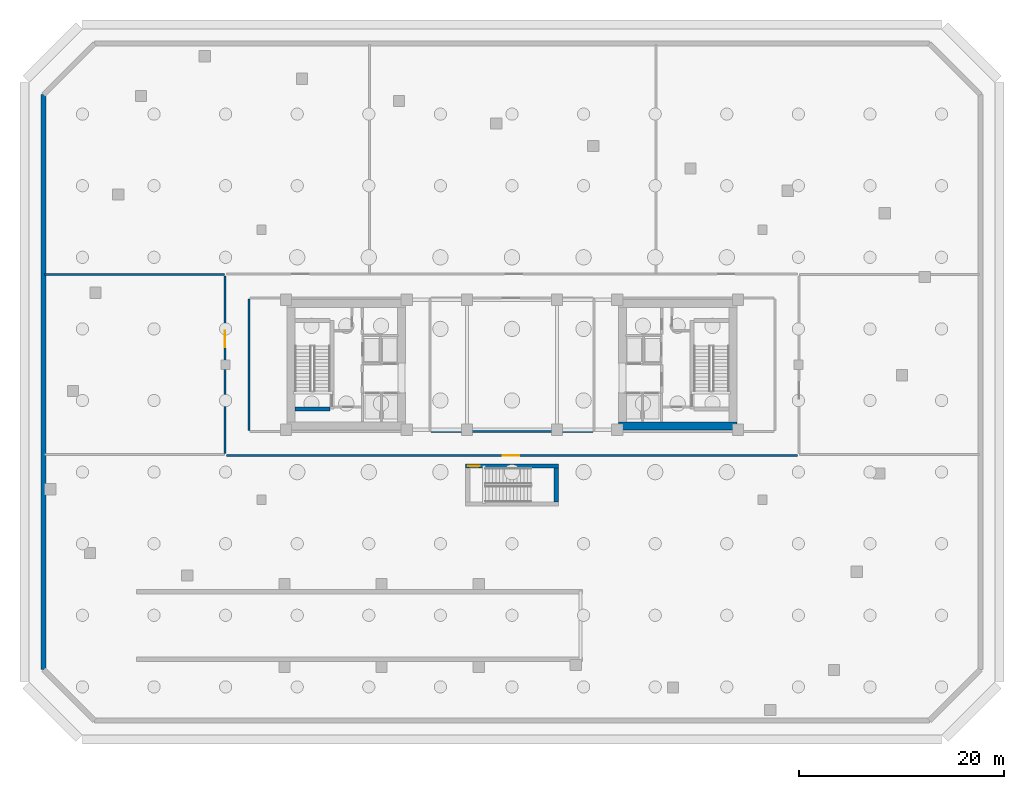
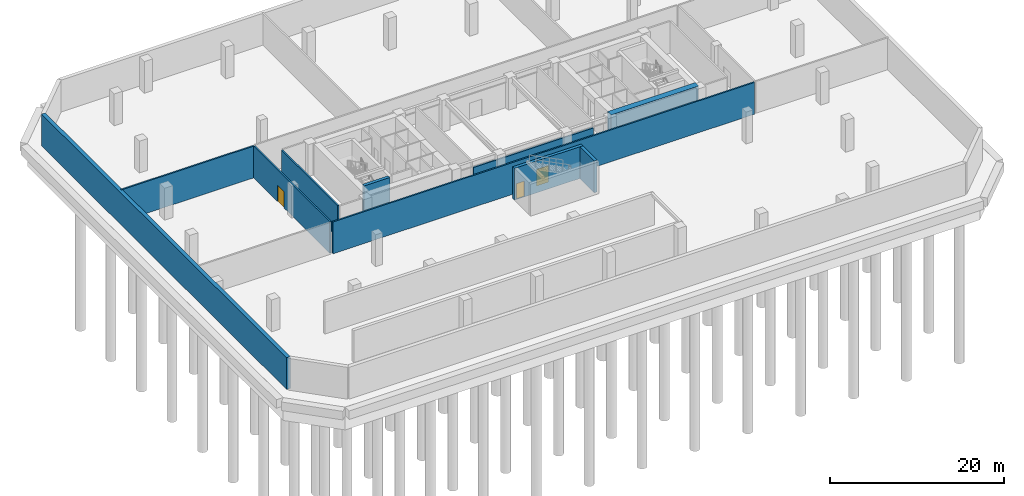
# One storey, part 3 of 10: 10 walls, 3 doors, 3 openings.
"""IFC4 building model written with IfcOpenShell, lengths in metres."""

from ifc_helpers import new_model, si_unit, direction, frame, frame_2d, origin, place, context, subcontext, project, spatial, rectangle, extrude, material, layer, layer_set, type_object, element, fill, save


model = new_model("IFC4")

# Units and contexts
model_context = context("Model", 3, precision=1e-05, world=origin(), true_north=direction((0.0, 1.0)))
body_context = subcontext(model_context, "Body", "Model", "MODEL_VIEW")
ifc_project = project(units=[si_unit("LENGTHUNIT", "METRE"), si_unit("AREAUNIT", "SQUARE_METRE"), si_unit("VOLUMEUNIT", "CUBIC_METRE"), si_unit("PLANEANGLEUNIT", "RADIAN"), si_unit("MASSUNIT", "GRAM", prefix="KILO")], contexts=[model_context])

# Site, building, storey
site_placement = place(None, origin())
site = spatial("IfcSite", under=ifc_project, at=site_placement, CompositionType="ELEMENT")
building_placement = place(site_placement, origin())
building = spatial("IfcBuilding", under=site, at=building_placement, Name="Tavrogorsk Clinical Tower", CompositionType="ELEMENT")
storey_placement = place(building_placement, frame((0.0, 0.0, -10.199951171875)))
storey = spatial("IfcBuildingStorey", under=building, at=storey_placement, Name="B2", CompositionType="ELEMENT", Elevation=-10.199951171875)

# Wall, opening, door
ifc_material_1 = material(Name="Concrete B60", Category="concrete")
ifc_layer_1 = layer(ifc_material_1, 0.199951171875)
ifc_layer_set_1 = layer_set([ifc_layer_1], Name="Concrete B60")
wall_type_1 = type_object("IfcWallType", Name="CoreFireWall_200", PredefinedType="SOLIDWALL", material=ifc_layer_set_1)
wall_1_placement = place(storey_placement, frame((-28.080078125, -8.695068359375, 0.0), z_axis=(0.0, 0.0, 1.0), x_axis=(0.0, 1.0, 0.0)))
wall_1 = element("IfcWall", 1, at=wall_1_placement, inside=storey, type_object=wall_type_1, Name="B2 Corridor Fire Wall 01", PredefinedType="SOLIDWALL", context=body_context, shape_type="SweptSolid", body=[
    extrude(rectangle(XDim=17.39013671875, YDim=0.199951171875, at=frame_2d((8.695068359375, 0.0))), origin(), (0.0, 0.0, 1.0), 4.449951171875),
])
opening_1_placement = place(wall_1_placement, frame((10.39990234375, 0.0, 0.0)))
opening_1 = element("IfcOpeningElement", 2, at=opening_1_placement, cuts=wall_1, Name="Opening FD-04", PredefinedType="OPENING", context=body_context, shape_type="SweptSolid", body=[
    extrude(rectangle(XDim=1.60009765625, YDim=2.300048828125, at=frame_2d((0.800048828125, 1.14990234375))), frame((0.0, 0.10986328125, 0.0), z_axis=(0.0, -1.0, 0.0), x_axis=(1.0, 0.0, 0.0)), (0.0, 0.0, 1.0), 0.219970703125),
])
ifc_material_2 = material(Name="Galvanised steel acoustic plant double door", Category="steel")
door_type_1 = type_object("IfcDoorType", Name="PlantDoubleDoor_FD04_1600", OperationType="DOUBLE_SWING_LEFT", PredefinedType="DOOR", material=ifc_material_2)
door_1_placement = place(opening_1_placement, origin())
door_1 = element("IfcDoor", 3, at=door_1_placement, inside=storey, type_object=door_type_1, Name="B2 Medical Oxygen Manifold Plant Fire Door", OperationType="DOUBLE_SWING_LEFT", OverallHeight=2.300048828125, OverallWidth=1.60009765625, PredefinedType="DOOR", context=body_context, shape_type="SweptSolid", body=[
    extrude(rectangle(XDim=1.60009765625, YDim=2.300048828125, at=frame_2d((0.800048828125, 1.14990234375))), frame((0.0, 0.02490234375, 0.0), z_axis=(0.0, -1.0, 0.0), x_axis=(1.0, 0.0, 0.0)), (0.0, 0.0, 1.0), 0.050048828125),
])
fill(opening_1, door_1)

wall_2_placement = place(storey_placement, frame((27.89501953125, -8.8798828125, 0.0), z_axis=(0.0, 0.0, 1.0), x_axis=(-1.0, 0.0, 0.0)))
wall_2 = element("IfcWall", 4, at=wall_2_placement, inside=storey, type_object=wall_type_1, Name="B2 Corridor Fire Wall 04", PredefinedType="SOLIDWALL", context=body_context, shape_type="SweptSolid", body=[
    extrude(rectangle(XDim=55.7900390625, YDim=0.199951171875, at=frame_2d((27.89501953125, 0.0))), origin(), (0.0, 0.0, 1.0), 4.449951171875),
])
opening_2_placement = place(wall_2_placement, frame((27.199951171875, 0.0, 0.0)))
opening_2 = element("IfcOpeningElement", 5, at=opening_2_placement, cuts=wall_2, Name="Opening FD-04", PredefinedType="OPENING", context=body_context, shape_type="SweptSolid", body=[
    extrude(rectangle(XDim=1.60009765625, YDim=2.300048828125, at=frame_2d((0.800048828125, 1.14990234375))), frame((0.0, 0.10986328125, 0.0), z_axis=(0.0, -1.0, 0.0), x_axis=(1.0, 0.0, 0.0)), (0.0, 0.0, 1.0), 0.219970703125),
])
door_2_placement = place(opening_2_placement, origin())
door_2 = element("IfcDoor", 6, at=door_2_placement, inside=storey, type_object=door_type_1, Name="B2 Sterile Instrument & Medical Equipment Reserve Fire Door", OperationType="DOUBLE_SWING_LEFT", OverallHeight=2.300048828125, OverallWidth=1.60009765625, PredefinedType="DOOR", context=body_context, shape_type="SweptSolid", body=[
    extrude(rectangle(XDim=1.60009765625, YDim=2.300048828125, at=frame_2d((0.800048828125, 1.14990234375))), frame((0.0, 0.02490234375, 0.0), z_axis=(0.0, -1.0, 0.0), x_axis=(1.0, 0.0, 0.0)), (0.0, 0.0, 1.0), 0.050048828125),
])
fill(opening_2, door_2)

# Walls
wall_3_placement = place(storey_placement, frame((-7.9150390625, -6.52001953125, 0.0), z_axis=(0.0, 0.0, 1.0), x_axis=(1.0, 0.0, 0.0)))
element("IfcWall", 7, at=wall_3_placement, inside=storey, type_object=wall_type_1, Name="B2 Corridor Fire Wall 11", PredefinedType="SOLIDWALL", context=body_context, shape_type="SweptSolid", body=[
    extrude(rectangle(XDim=15.830078125, YDim=0.199951171875, at=frame_2d((7.9150390625, 0.0))), origin(), (0.0, 0.0, 1.0), 3.64501953125),
])
wall_4_placement = place(storey_placement, frame((-25.719970703125, 6.4150390625, 0.0), z_axis=(0.0, 0.0, 1.0), x_axis=(0.0, -1.0, 0.0)))
element("IfcWall", 8, at=wall_4_placement, inside=storey, type_object=wall_type_1, Name="B2 Corridor Fire Wall 13", PredefinedType="SOLIDWALL", context=body_context, shape_type="SweptSolid", body=[
    extrude(rectangle(XDim=12.830078125, YDim=0.199951171875, at=frame_2d((6.4150390625, 0.0))), origin(), (0.0, 0.0, 1.0), 4.449951171875),
])
wall_5_placement = place(storey_placement, frame((-45.719970703125, 8.800048828125, 0.0), z_axis=(0.0, 0.0, 1.0), x_axis=(1.0, 0.0, 0.0)))
element("IfcWall", 9, at=wall_5_placement, inside=storey, type_object=wall_type_1, Name="B2 Compartment Fire Wall 3", PredefinedType="SOLIDWALL", context=body_context, shape_type="SweptSolid", body=[
    extrude(rectangle(XDim=17.614990234375, YDim=0.199951171875, at=frame_2d((8.8076171875, 0.0))), origin(), (0.0, 0.0, 1.0), 4.449951171875),
])
ifc_material_3 = material(Name="Concrete B80", Category="concrete")
ifc_layer_2 = layer(ifc_material_3, 0.39990234375)
ifc_layer_set_2 = layer_set([ifc_layer_2], Name="Concrete B80")
wall_type_2 = type_object("IfcWallType", Name="ShearWall_400", PredefinedType="SHEAR", material=ifc_layer_set_2)
wall_6_placement = place(storey_placement, frame((-21.199951171875, -4.324951171875, 0.0), z_axis=(0.0, 0.0, 1.0), x_axis=(1.0, 0.0, 0.0)))
element("IfcWall", 10, at=wall_6_placement, inside=storey, type_object=wall_type_2, Name="B2 Core West Stair Shaft South Shear Wall", PredefinedType="SHEAR", context=body_context, shape_type="SweptSolid", body=[
    extrude(rectangle(XDim=3.39990234375, YDim=0.39990234375, at=frame_2d((1.699951171875, 0.0))), origin(), (0.0, 0.0, 1.0), 4.449951171875),
])

# Wall, opening, door
wall_7_placement = place(storey_placement, frame((-4.52490234375, -9.89990234375, 0.0), z_axis=(0.0, 0.0, 1.0), x_axis=(1.0, 0.0, 0.0)))
wall_7 = element("IfcWall", 11, at=wall_7_placement, inside=storey, type_object=wall_type_2, Name="B2 Podium Stair North Shaft Wall", PredefinedType="SHEAR", context=body_context, shape_type="SweptSolid", body=[
    extrude(rectangle(XDim=9.0498046875, YDim=0.39990234375, at=frame_2d((4.52490234375, 0.0))), origin(), (0.0, 0.0, 1.0), 4.449951171875),
])
opening_3_placement = place(wall_7_placement, frame((0.25, 0.0, 0.0)))
opening_3 = element("IfcOpeningElement", 12, at=opening_3_placement, cuts=wall_7, Name="Opening SD-01", PredefinedType="OPENING", context=body_context, shape_type="SweptSolid", body=[
    extrude(rectangle(XDim=1.10009765625, YDim=2.199951171875, at=frame_2d((0.550048828125, 1.10009765625))), frame((0.0, 0.2099609375, 0.0), z_axis=(0.0, -1.0, 0.0), x_axis=(1.0, 0.0, 0.0)), (0.0, 0.0, 1.0), 0.419921875),
])
ifc_material_4 = material(Name="Galvanised steel smoke-tight fire door assembly", Category="steel")
door_type_2 = type_object("IfcDoorType", Name="StairFireDoor_SD01_1100", OperationType="NOTDEFINED", PredefinedType="DOOR", material=ifc_material_4)
door_3_placement = place(opening_3_placement, origin())
door_3 = element("IfcDoor", 13, at=door_3_placement, inside=storey, type_object=door_type_2, Name="B2 ST-P Podium Stair Door", OperationType="SINGLE_SWING_LEFT", OverallHeight=2.199951171875, OverallWidth=1.10009765625, PredefinedType="DOOR", context=body_context, shape_type="SweptSolid", body=[
    extrude(rectangle(XDim=1.10009765625, YDim=2.199951171875, at=frame_2d((0.550048828125, 1.10009765625))), frame((0.0, 0.02490234375, 0.0), z_axis=(0.0, -1.0, 0.0), x_axis=(1.0, 0.0, 0.0)), (0.0, 0.0, 1.0), 0.050048828125),
])
fill(opening_3, door_3)

# Walls
wall_8_placement = place(storey_placement, frame((4.324951171875, -13.39990234375, 0.0), z_axis=(0.0, 0.0, 1.0), x_axis=(0.0, 1.0, 0.0)))
element("IfcWall", 14, at=wall_8_placement, inside=storey, type_object=wall_type_2, Name="B2 Podium Stair East Shaft Wall", PredefinedType="SHEAR", context=body_context, shape_type="SweptSolid", body=[
    extrude(rectangle(XDim=3.2998046875, YDim=0.39990234375, at=frame_2d((1.64990234375, 0.0))), origin(), (0.0, 0.0, 1.0), 4.449951171875),
])
ifc_material_5 = material(Name="Concrete B60", Category="concrete")
ifc_layer_3 = layer(ifc_material_5, 0.5)
ifc_layer_set_3 = layer_set([ifc_layer_3], Name="Concrete B60")
wall_type_3 = type_object("IfcWallType", Name="ShearWall_500", PredefinedType="SHEAR", material=ifc_layer_set_3)
wall_9_placement = place(storey_placement, frame((-45.800048828125, 26.39990234375, 0.0), z_axis=(0.0, 0.0, 1.0), x_axis=(0.0, -1.0, 0.0)))
element("IfcWall", 15, at=wall_9_placement, inside=storey, type_object=wall_type_3, Name="B2 Retaining Wall 7", PredefinedType="SHEAR", context=body_context, shape_type="SweptSolid", body=[
    extrude(rectangle(XDim=56.199951171875, YDim=0.5, at=frame_2d((28.10009765625, 0.0))), origin(), (0.0, 0.0, 1.0), 4.449951171875),
])
ifc_material_6 = material(Name="Concrete B80", Category="concrete")
ifc_layer_4 = layer(ifc_material_6, 0.800048828125)
ifc_layer_set_4 = layer_set([ifc_layer_4], Name="Concrete B80")
wall_type_4 = type_object("IfcWallType", Name="ShearWall_800", PredefinedType="SHEAR", material=ifc_layer_set_4)
wall_10_placement = place(storey_placement, frame((10.39990234375, -6.0, 0.0), z_axis=(0.0, 0.0, 1.0), x_axis=(1.0, 0.0, 0.0)))
element("IfcWall", 16, at=wall_10_placement, inside=storey, type_object=wall_type_4, Name="B2 Core East South Shear Wall", PredefinedType="SHEAR", context=body_context, shape_type="SweptSolid", body=[
    extrude(rectangle(XDim=11.60009765625, YDim=0.800048828125, at=frame_2d((5.800048828125, 0.0))), origin(), (0.0, 0.0, 1.0), 4.449951171875),
])

save(model, "model.ifc")
